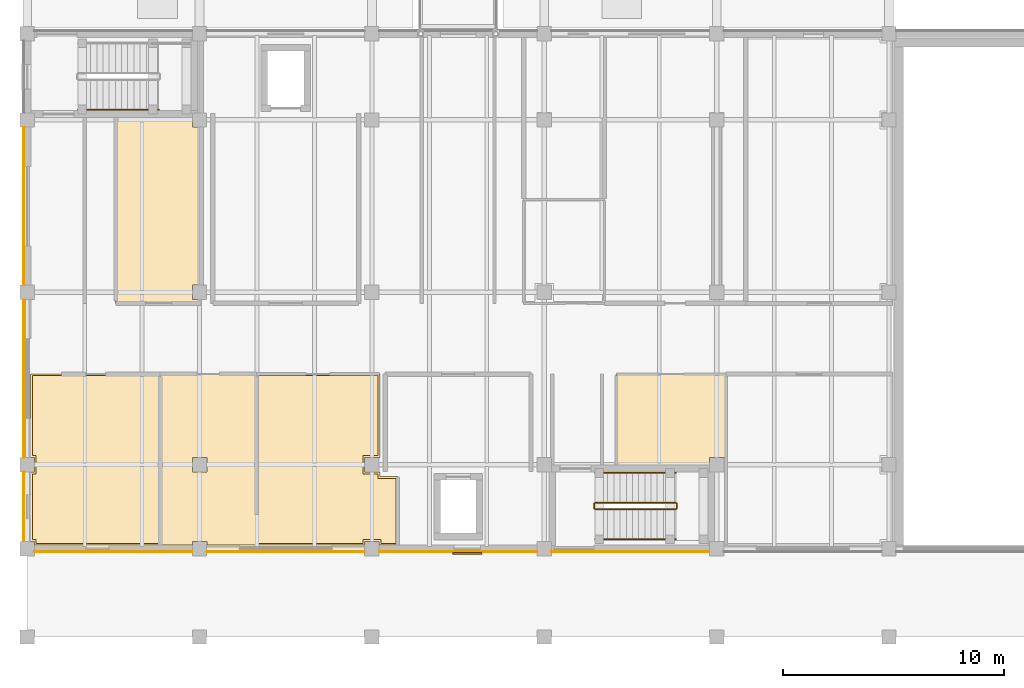
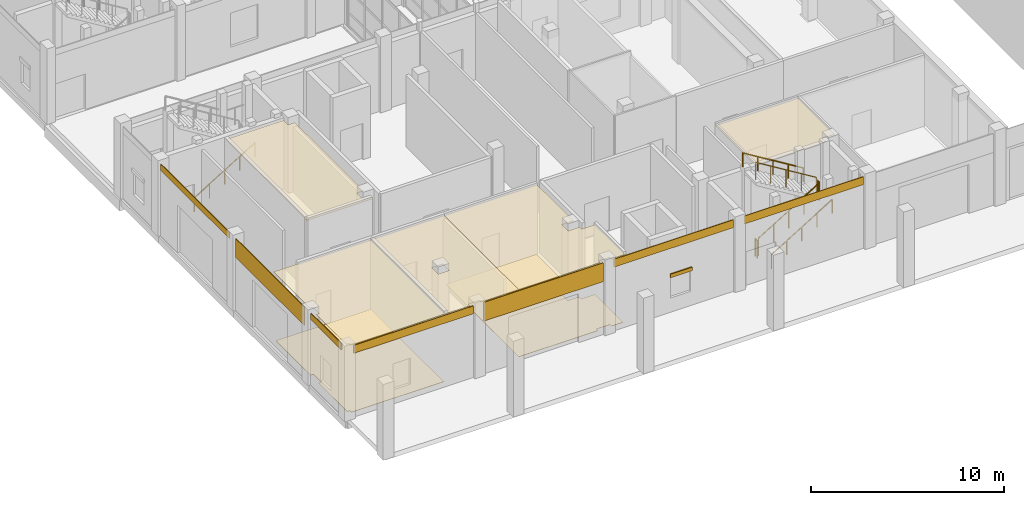
# One storey, part 110 of 131: 14 coverings, 7 railings, 1 shading device.
"""IFC4 building model written with IfcOpenShell, lengths in metres."""

from ifc_helpers import new_model, si_unit, direction, frame, origin, origin_2d, place, context, subcontext, project, spatial, polyline, rectangle, circle, outline, extrude, material, layer, layer_set, type_object, element, save


model = new_model("IFC4")

# Units and contexts
model_context = context("Model", 3, precision=1e-05, world=origin(), true_north=direction((0.0, 1.0)))
body_context = subcontext(model_context, "Body", "Model", "MODEL_VIEW")
ifc_project = project(units=[si_unit("LENGTHUNIT", "METRE"), si_unit("AREAUNIT", "SQUARE_METRE"), si_unit("VOLUMEUNIT", "CUBIC_METRE"), si_unit("PLANEANGLEUNIT", "RADIAN"), si_unit("MASSUNIT", "GRAM", prefix="KILO")], contexts=[model_context])

# Site, building, storey
site_placement = place(None, origin())
site = spatial("IfcSite", under=ifc_project, at=site_placement, CompositionType="ELEMENT")
building_placement = place(site_placement, origin())
building = spatial("IfcBuilding", under=site, at=building_placement, Name="Celorna Specialist Clinic", CompositionType="ELEMENT")
storey_placement = place(building_placement, origin())
storey = spatial("IfcBuildingStorey", under=building, at=storey_placement, Name="L00", CompositionType="ELEMENT", Elevation=0.0)

# Coverings
ifc_material_1 = material(Name="Hygienic acoustic mineral-fibre ceiling")
ifc_layer_1 = layer(ifc_material_1, 0.030029296875, Name="Hygienic acoustic mineral-fibre ceiling")
ifc_layer_set_1 = layer_set([ifc_layer_1], Name="Hygienic acoustic mineral-fibre ceiling")
covering_type_1 = type_object("IfcCoveringType", Name="CE-01", PredefinedType="CEILING", material=ifc_layer_set_1)
covering_1_placement = place(storey_placement, frame((0.0, 0.0, 4.330078125)))
element("IfcCovering", 1, at=covering_1_placement, inside=storey, type_object=covering_type_1, Name="Acoustic ceiling L00-091", PredefinedType="CEILING", context=body_context, shape_type="SweptSolid", body=[
    extrude(outline(polyline([(0.155029296875, 11.9150390625), (6.034912109375, 11.9150390625), (6.034912109375, 4.155029296875), (0.330078125, 4.155029296875), (0.330078125, 4.330078125), (0.155029296875, 4.330078125), (0.155029296875, 7.469970703125), (0.330078125, 7.469970703125), (0.330078125, 8.1298828125), (0.155029296875, 8.1298828125), (0.155029296875, 11.9150390625)])), origin(), (0.0, 0.0, 1.0), 0.030029296875),
])
covering_2_placement = place(storey_placement, frame((0.0, 0.0, 4.330078125)))
element("IfcCovering", 2, at=covering_2_placement, inside=storey, type_object=covering_type_1, Name="Acoustic ceiling L00-092", PredefinedType="CEILING", context=body_context, shape_type="SweptSolid", body=[
    extrude(outline(polyline([(10.385009765625, 11.9150390625), (10.385009765625, 4.155029296875), (8.1298828125, 4.155029296875), (8.1298828125, 4.330078125), (7.469970703125, 4.330078125), (7.469970703125, 4.155029296875), (6.0048828125, 4.155029296875), (6.0048828125, 11.9150390625), (10.385009765625, 11.9150390625)]), holes=[polyline([(8.1298828125, 7.469970703125), (8.1298828125, 8.1298828125), (7.469970703125, 8.1298828125), (7.469970703125, 7.469970703125), (8.1298828125, 7.469970703125)])]), origin(), (0.0, 0.0, 1.0), 0.030029296875),
])
covering_3_placement = place(storey_placement, frame((0.0, 0.0, 4.330078125)))
element("IfcCovering", 3, at=covering_3_placement, inside=storey, type_object=covering_type_1, Name="Acoustic ceiling L00-093", PredefinedType="CEILING", context=body_context, shape_type="SweptSolid", body=[
    extrude(outline(polyline([(15.965087890625, 7.264892578125), (16.784912109375, 7.264892578125), (16.784912109375, 4.155029296875), (15.929931640625, 4.155029296875), (15.929931640625, 4.330078125), (15.27001953125, 4.330078125), (15.27001953125, 4.155029296875), (10.35498046875, 4.155029296875), (10.35498046875, 11.9150390625), (15.965087890625, 11.9150390625), (15.965087890625, 8.1201171875), (15.929931640625, 8.1201171875), (15.929931640625, 8.1298828125), (15.27001953125, 8.1298828125), (15.27001953125, 7.469970703125), (15.929931640625, 7.469970703125), (15.929931640625, 7.47998046875), (15.965087890625, 7.47998046875), (15.965087890625, 7.264892578125)])), origin(), (0.0, 0.0, 1.0), 0.030029296875),
])
covering_4_placement = place(storey_placement, frame((0.0, 0.0, 4.330078125)))
element("IfcCovering", 4, at=covering_4_placement, inside=storey, type_object=covering_type_1, Name="Acoustic ceiling L00-094", PredefinedType="CEILING", context=body_context, shape_type="SweptSolid", body=[
    extrude(outline(polyline([(31.530029296875, 8.1201171875), (31.530029296875, 8.1298828125), (30.8701171875, 8.1298828125), (30.8701171875, 7.764892578125), (26.655029296875, 7.764892578125), (26.655029296875, 11.9150390625), (31.635009765625, 11.9150390625), (31.635009765625, 8.1201171875), (31.530029296875, 8.1201171875)])), origin(), (0.0, 0.0, 1.0), 0.030029296875),
])
covering_5_placement = place(storey_placement, frame((0.0, 0.0, 4.330078125)))
element("IfcCovering", 5, at=covering_5_placement, inside=storey, type_object=covering_type_1, Name="Acoustic ceiling L00-096", PredefinedType="CEILING", context=body_context, shape_type="SweptSolid", body=[
    extrude(outline(polyline([(7.885009765625, 15.0849609375), (4.0048828125, 15.0849609375), (4.0048828125, 23.534912109375), (7.469970703125, 23.534912109375), (7.469970703125, 23.070068359375), (7.885009765625, 23.070068359375), (7.885009765625, 15.929931640625), (7.469970703125, 15.929931640625), (7.469970703125, 15.27001953125), (7.885009765625, 15.27001953125), (7.885009765625, 15.0849609375)])), origin(), (0.0, 0.0, 1.0), 0.030029296875),
])
ifc_material_2 = material(Name="Pero Pinheiro Lioz limestone rainscreen cladding", Category="masonry")
ifc_layer_2 = layer(ifc_material_2, 0.044921875, Name="Pero Pinheiro Lioz limestone rainscreen cladding")
ifc_layer_set_2 = layer_set([ifc_layer_2], Name="Pero Pinheiro Lioz limestone rainscreen cladding")
covering_type_2 = type_object("IfcCoveringType", Name="CL-01", PredefinedType="CLADDING", material=ifc_layer_set_2)
covering_6_placement = place(storey_placement, frame((3.89990234375, 3.8525390625, 4.0400390625), z_axis=(0.0, 0.0, 1.0), x_axis=(-1.0, 0.0, 0.0)))
element("IfcCovering", 6, at=covering_6_placement, inside=storey, type_object=covering_type_2, Name="Lioz spandrel cladding #298", PredefinedType="CLADDING", context=body_context, shape_type="SweptSolid", body=[
    extrude(rectangle(XDim=7.14990234375, YDim=0.044921875, at=origin_2d()), origin(), (0.0, 0.0, 1.0), 0.5),
])
covering_7_placement = place(storey_placement, frame((11.699951171875, 3.8525390625, 3.35009765625), z_axis=(0.0, 0.0, 1.0), x_axis=(-1.0, 0.0, 0.0)))
element("IfcCovering", 7, at=covering_7_placement, inside=storey, type_object=covering_type_2, Name="Lioz spandrel cladding #299", PredefinedType="CLADDING", context=body_context, shape_type="SweptSolid", body=[
    extrude(rectangle(XDim=7.14990234375, YDim=0.044921875, at=origin_2d()), origin(), (0.0, 0.0, 1.0), 1.18994140625),
])
for number, where, z_axis, x_axis, name in (
    (8, (19.5, 3.8525390625, 4.0400390625), (0.0, 0.0, 1.0), (-1.0, 0.0, 0.0), "Lioz spandrel cladding #300"),
    (9, (27.300048828125, 3.8525390625, 4.0400390625), (0.0, 0.0, 1.0), (-1.0, 0.0, 0.0), "Lioz spandrel cladding #301"),
):
    element("IfcCovering", number, at=place(storey_placement, frame(where, z_axis=z_axis, x_axis=x_axis)), inside=storey, type_object=covering_type_2, Name=name, PredefinedType="CLADDING", context=body_context, shape_type="SweptSolid", body=[
        extrude(rectangle(XDim=7.14990234375, YDim=0.044921875, at=origin_2d()), origin(), (0.0, 0.0, 1.0), 0.5),
    ])
covering_8_placement = place(storey_placement, frame((-0.1474609375, 5.89990234375, 4.14013671875), z_axis=(0.0, 0.0, 1.0), x_axis=(0.0, 1.0, 0.0)))
element("IfcCovering", 10, at=covering_8_placement, inside=storey, type_object=covering_type_2, Name="Lioz spandrel cladding #312", PredefinedType="CLADDING", context=body_context, shape_type="SweptSolid", body=[
    extrude(rectangle(XDim=3.14990234375, YDim=0.044921875, at=origin_2d()), origin(), (0.0, 0.0, 1.0), 0.39990234375),
])
covering_9_placement = place(storey_placement, frame((-0.1474609375, 11.699951171875, 3.35009765625), z_axis=(0.0, 0.0, 1.0), x_axis=(0.0, 1.0, 0.0)))
element("IfcCovering", 11, at=covering_9_placement, inside=storey, type_object=covering_type_2, Name="Lioz spandrel cladding #313", PredefinedType="CLADDING", context=body_context, shape_type="SweptSolid", body=[
    extrude(rectangle(XDim=7.14990234375, YDim=0.044921875, at=origin_2d()), origin(), (0.0, 0.0, 1.0), 1.18994140625),
])
covering_10_placement = place(storey_placement, frame((-0.1474609375, 19.5, 4.14013671875), z_axis=(0.0, 0.0, 1.0), x_axis=(0.0, 1.0, 0.0)))
element("IfcCovering", 12, at=covering_10_placement, inside=storey, type_object=covering_type_2, Name="Lioz spandrel cladding #314", PredefinedType="CLADDING", context=body_context, shape_type="SweptSolid", body=[
    extrude(rectangle(XDim=7.14990234375, YDim=0.044921875, at=origin_2d()), origin(), (0.0, 0.0, 1.0), 0.39990234375),
])
ifc_material_3 = material(Name="Seamless antimicrobial clinical vinyl and Lioz terrazzo flooring")
ifc_layer_3 = layer(ifc_material_3, 0.02001953125, Name="Seamless antimicrobial clinical vinyl and Lioz terrazzo flooring")
ifc_layer_set_3 = layer_set([ifc_layer_3], Name="Seamless antimicrobial clinical vinyl and Lioz terrazzo flooring")
covering_type_3 = type_object("IfcCoveringType", Name="FL-01", PredefinedType="FLOORING", material=ifc_layer_set_3)
covering_11_placement = place(storey_placement, origin())
element("IfcCovering", 13, at=covering_11_placement, inside=storey, type_object=covering_type_3, Name="Antimicrobial clinical flooring L00-091", PredefinedType="FLOORING", context=body_context, shape_type="SweptSolid", body=[
    extrude(outline(polyline([(0.2451171875, 7.389892578125), (0.409912109375, 7.389892578125), (0.409912109375, 8.2099609375), (0.2451171875, 8.2099609375), (0.2451171875, 11.824951171875), (5.945068359375, 11.824951171875), (5.945068359375, 4.2451171875), (0.409912109375, 4.2451171875), (0.409912109375, 4.409912109375), (0.2451171875, 4.409912109375), (0.2451171875, 7.389892578125)])), origin(), (0.0, 0.0, 1.0), 0.02001953125),
])
covering_12_placement = place(storey_placement, origin())
element("IfcCovering", 14, at=covering_12_placement, inside=storey, type_object=covering_type_3, Name="Antimicrobial clinical flooring L00-093", PredefinedType="FLOORING", context=body_context, shape_type="SweptSolid", body=[
    extrude(outline(polyline([(15.875, 7.389892578125), (15.875, 7.175048828125), (16.695068359375, 7.175048828125), (16.695068359375, 4.2451171875), (16.010009765625, 4.2451171875), (16.010009765625, 4.409912109375), (15.18994140625, 4.409912109375), (15.18994140625, 4.2451171875), (10.445068359375, 4.2451171875), (10.445068359375, 11.824951171875), (15.875, 11.824951171875), (15.875, 8.2099609375), (15.18994140625, 8.2099609375), (15.18994140625, 7.389892578125), (15.875, 7.389892578125)])), origin(), (0.0, 0.0, 1.0), 0.02001953125),
])

# Railings
ifc_material_4 = material(Name="Powder-coated steel S355", Category="steel")
railing_type_1 = type_object("IfcRailingType", Name="GR-01", PredefinedType="GUARDRAIL", material=ifc_material_4)
railing_1_placement = place(storey_placement, frame((25.7099609375, 5.780029296875, 0.17138671875)))
element("IfcRailing", 15, at=railing_1_placement, inside=storey, type_object=railing_type_1, Name="L00 ST-05 stair guard 1", PredefinedType="GUARDRAIL", context=body_context, shape_type="SweptSolid", body=[
    extrude(circle(Radius=0.02392578125, at=origin_2d()), frame((0.0, 0.0, 1.09619140625), z_axis=(0.852865859571, 0.0, 0.52213008492), x_axis=(0.0, 1.0, 0.0)), (0.0, 0.0, 1.0), 4.26806640625),
    extrude(circle(Radius=0.02099609375, at=origin_2d()), origin(), (0.0, 0.0, 1.0), 1.072021484375),
    extrude(circle(Radius=0.02099609375, at=origin_2d()), frame((0.91015625, 0.0, 0.55712890625)), (0.0, 0.0, 1.0), 1.072021484375),
    extrude(circle(Radius=0.02099609375, at=origin_2d()), frame((1.820068359375, 0.0, 1.1142578125)), (0.0, 0.0, 1.0), 1.072021484375),
    extrude(circle(Radius=0.02099609375, at=origin_2d()), frame((2.72998046875, 0.0, 1.67138671875)), (0.0, 0.0, 1.0), 1.072021484375),
    extrude(circle(Radius=0.02099609375, at=origin_2d()), frame((3.64013671875, 0.0, 2.228515625)), (0.0, 0.0, 1.0), 1.072021484375),
])
railing_2_placement = place(storey_placement, frame((29.39990234375, 5.830078125, 2.39990234375)))
element("IfcRailing", 16, at=railing_2_placement, inside=storey, type_object=railing_type_1, Name="L00 ST-05 stair guard 2", PredefinedType="GUARDRAIL", context=body_context, shape_type="SweptSolid", body=[
    extrude(circle(Radius=0.02392578125, at=origin_2d()), frame((0.0, 0.0, 1.09619140625), z_axis=(0.0, 1.0, 0.0), x_axis=(-1.0, 0.0, 0.0)), (0.0, 0.0, 1.0), 0.199951171875),
    extrude(circle(Radius=0.02099609375, at=origin_2d()), origin(), (0.0, 0.0, 1.0), 1.072021484375),
    extrude(circle(Radius=0.02099609375, at=origin_2d()), frame((0.0, 0.199951171875, 0.0)), (0.0, 0.0, 1.0), 1.072021484375),
])
railing_3_placement = place(storey_placement, frame((29.35009765625, 6.080078125, 2.571533203125)))
element("IfcRailing", 17, at=railing_3_placement, inside=storey, type_object=railing_type_1, Name="L00 ST-05 stair guard 3", PredefinedType="GUARDRAIL", context=body_context, shape_type="SweptSolid", body=[
    extrude(circle(Radius=0.02392578125, at=origin_2d()), frame((0.0, 0.0, 1.09619140625), z_axis=(-0.852865859571, 0.0, 0.52213008492), x_axis=(0.0, -1.0, 0.0)), (0.0, 0.0, 1.0), 4.26806640625),
    extrude(circle(Radius=0.02099609375, at=origin_2d()), origin(), (0.0, 0.0, 1.0), 1.072021484375),
    extrude(circle(Radius=0.02099609375, at=origin_2d()), frame((-0.91015625, 0.0, 0.55712890625)), (0.0, 0.0, 1.0), 1.072021484375),
    extrude(circle(Radius=0.02099609375, at=origin_2d()), frame((-1.820068359375, 0.0, 1.1142578125)), (0.0, 0.0, 1.0), 1.072021484375),
    extrude(circle(Radius=0.02099609375, at=origin_2d()), frame((-2.72998046875, 0.0, 1.67138671875)), (0.0, 0.0, 1.0), 1.072021484375),
    extrude(circle(Radius=0.02099609375, at=origin_2d()), frame((-3.64013671875, 0.0, 2.228515625)), (0.0, 0.0, 1.0), 1.072021484375),
])
railing_4_placement = place(storey_placement, frame((25.659912109375, 5.830078125, 0.0)))
element("IfcRailing", 18, at=railing_4_placement, inside=storey, type_object=railing_type_1, Name="L00 ST-05 stair guard 4", PredefinedType="GUARDRAIL", context=body_context, shape_type="SweptSolid", body=[
    extrude(circle(Radius=0.02392578125, at=origin_2d()), frame((0.0, 0.0, 1.09619140625), z_axis=(0.0, 1.0, 0.0), x_axis=(-1.0, 0.0, 0.0)), (0.0, 0.0, 1.0), 0.199951171875),
    extrude(circle(Radius=0.02099609375, at=origin_2d()), origin(), (0.0, 0.0, 1.0), 1.072021484375),
    extrude(circle(Radius=0.02099609375, at=origin_2d()), frame((0.0, 0.199951171875, 0.0)), (0.0, 0.0, 1.0), 1.072021484375),
])
ifc_material_5 = material(Name="Brushed stainless steel handrail", Category="steel")
railing_type_2 = type_object("IfcRailingType", Name="HR-01", PredefinedType="HANDRAIL", material=ifc_material_5)
railing_5_placement = place(storey_placement, frame((2.31005859375, 23.8701171875, 0.17138671875)))
element("IfcRailing", 19, at=railing_5_placement, inside=storey, type_object=railing_type_2, Name="L00 ST-04 stair handrail 1", PredefinedType="HANDRAIL", context=body_context, shape_type="SweptSolid", body=[
    extrude(circle(Radius=0.02392578125, at=origin_2d()), frame((0.0, 0.0, 0.8759765625), z_axis=(0.852850264322, 0.0, 0.5221555579), x_axis=(0.0, 1.0, 0.0)), (0.0, 0.0, 1.0), 4.267822265625),
    extrude(circle(Radius=0.02099609375, at=origin_2d()), origin(), (0.0, 0.0, 1.0), 0.851806640625),
    extrude(circle(Radius=0.02099609375, at=origin_2d()), frame((0.909912109375, 0.0, 0.55712890625)), (0.0, 0.0, 1.0), 0.851806640625),
    extrude(circle(Radius=0.02099609375, at=origin_2d()), frame((1.81982421875, 0.0, 1.1142578125)), (0.0, 0.0, 1.0), 0.851806640625),
    extrude(circle(Radius=0.02099609375, at=origin_2d()), frame((2.72998046875, 0.0, 1.67138671875)), (0.0, 0.0, 1.0), 0.851806640625),
    extrude(circle(Radius=0.02099609375, at=origin_2d()), frame((3.639892578125, 0.0, 2.228515625)), (0.0, 0.0, 1.0), 0.851806640625),
])
railing_6_placement = place(storey_placement, frame((25.7099609375, 4.429931640625, 0.17138671875)))
element("IfcRailing", 20, at=railing_6_placement, inside=storey, type_object=railing_type_2, Name="L00 ST-05 stair handrail 1", PredefinedType="HANDRAIL", context=body_context, shape_type="SweptSolid", body=[
    extrude(circle(Radius=0.02392578125, at=origin_2d()), frame((0.0, 0.0, 0.8759765625), z_axis=(0.852865859571, 0.0, 0.52213008492), x_axis=(0.0, 1.0, 0.0)), (0.0, 0.0, 1.0), 4.26806640625),
    extrude(circle(Radius=0.02099609375, at=origin_2d()), origin(), (0.0, 0.0, 1.0), 0.851806640625),
    extrude(circle(Radius=0.02099609375, at=origin_2d()), frame((0.91015625, 0.0, 0.55712890625)), (0.0, 0.0, 1.0), 0.851806640625),
    extrude(circle(Radius=0.02099609375, at=origin_2d()), frame((1.820068359375, 0.0, 1.1142578125)), (0.0, 0.0, 1.0), 0.851806640625),
    extrude(circle(Radius=0.02099609375, at=origin_2d()), frame((2.72998046875, 0.0, 1.67138671875)), (0.0, 0.0, 1.0), 0.851806640625),
    extrude(circle(Radius=0.02099609375, at=origin_2d()), frame((3.64013671875, 0.0, 2.228515625)), (0.0, 0.0, 1.0), 0.851806640625),
])
railing_7_placement = place(storey_placement, frame((29.35009765625, 7.429931640625, 2.571533203125)))
element("IfcRailing", 21, at=railing_7_placement, inside=storey, type_object=railing_type_2, Name="L00 ST-05 stair handrail 2", PredefinedType="HANDRAIL", context=body_context, shape_type="SweptSolid", body=[
    extrude(circle(Radius=0.02392578125, at=origin_2d()), frame((0.0, 0.0, 0.8759765625), z_axis=(-0.852865859571, 0.0, 0.52213008492), x_axis=(0.0, -1.0, 0.0)), (0.0, 0.0, 1.0), 4.26806640625),
    extrude(circle(Radius=0.02099609375, at=origin_2d()), origin(), (0.0, 0.0, 1.0), 0.851806640625),
    extrude(circle(Radius=0.02099609375, at=origin_2d()), frame((-0.91015625, 0.0, 0.55712890625)), (0.0, 0.0, 1.0), 0.851806640625),
    extrude(circle(Radius=0.02099609375, at=origin_2d()), frame((-1.820068359375, 0.0, 1.1142578125)), (0.0, 0.0, 1.0), 0.851806640625),
    extrude(circle(Radius=0.02099609375, at=origin_2d()), frame((-2.72998046875, 0.0, 1.67138671875)), (0.0, 0.0, 1.0), 0.851806640625),
    extrude(circle(Radius=0.02099609375, at=origin_2d()), frame((-3.64013671875, 0.0, 2.228515625)), (0.0, 0.0, 1.0), 0.851806640625),
])

# Shading device
ifc_material_6 = material(Name="Anodized aluminium solar louvre", Category="aluminium")
ifc_layer_4 = layer(ifc_material_6, 0.080078125, Name="Anodized aluminium solar louvre")
ifc_layer_set_4 = layer_set([ifc_layer_4], Name="Anodized aluminium solar louvre")
shading_device_type = type_object("IfcShadingDeviceType", Name="LV-01", PredefinedType="JALOUSIE", material=ifc_layer_set_4)
shading_device_placement = place(storey_placement, frame((19.91259765625, 3.7900390625, 2.240234375), z_axis=(0.0, 0.0, 1.0), x_axis=(-1.0, 0.0, 0.0)))
element("IfcShadingDevice", 22, at=shading_device_placement, inside=storey, type_object=shading_device_type, Name="External solar louvre LV-01 #180", PredefinedType="JALOUSIE", context=body_context, shape_type="SweptSolid", body=[
    extrude(rectangle(XDim=1.300048828125, YDim=0.080078125, at=origin_2d()), origin(), (0.0, 0.0, 1.0), 0.219970703125),
])

save(model, "model.ifc")
